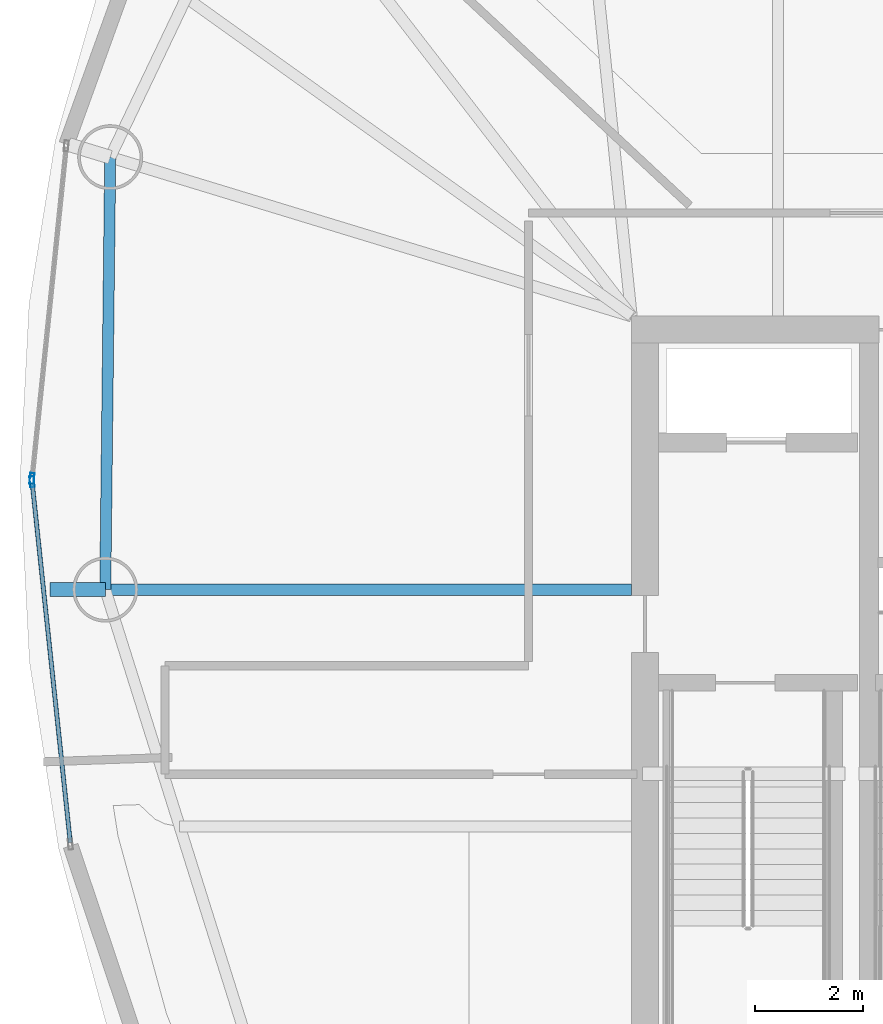
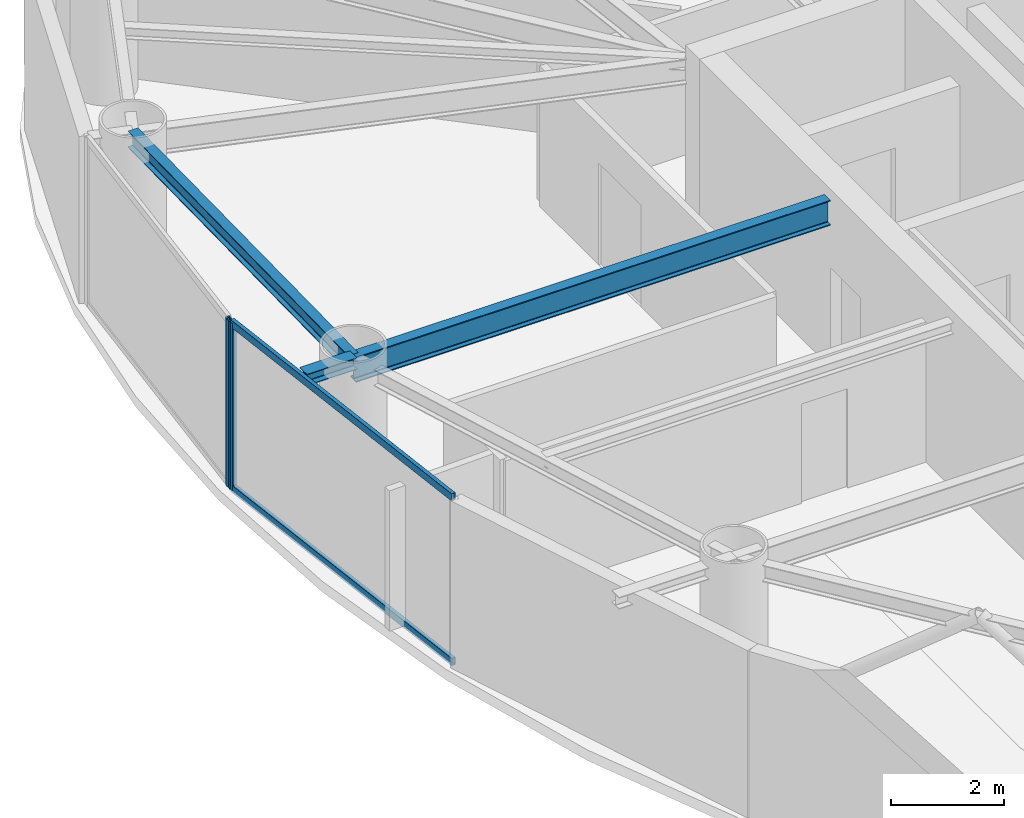
# One storey, part 5 of 20: 4 members, 3 beams, 2 elements without a shape of their own.
"""IFC4 building model written with IfcOpenShell, lengths in metres."""

from ifc_helpers import new_model, si_unit, direction, frame, origin, origin_2d, place, context, subcontext, project, spatial, hollow_rectangle, i_section, extrude, material, layer, layer_set, material_profile, profile_set, type_object, element, aggregate, save


model = new_model("IFC4")

# Units and contexts
model_context = context("Model", 3, precision=1e-05, world=origin(), true_north=direction((0.0, 1.0)))
body_context = subcontext(model_context, "Body", "Model", "MODEL_VIEW")
ifc_project = project(units=[si_unit("LENGTHUNIT", "METRE"), si_unit("AREAUNIT", "SQUARE_METRE"), si_unit("VOLUMEUNIT", "CUBIC_METRE"), si_unit("PLANEANGLEUNIT", "RADIAN"), si_unit("MASSUNIT", "GRAM", prefix="KILO")], contexts=[model_context])

# Site, building, storey
site_placement = place(None, origin())
site = spatial("IfcSite", under=ifc_project, at=site_placement, CompositionType="ELEMENT")
building_placement = place(site_placement, origin())
building = spatial("IfcBuilding", under=site, at=building_placement, Name="Bramvorn Convention Spire", CompositionType="ELEMENT")
storey_placement = place(building_placement, frame((0.0, 0.0, 228.949951171875)))
storey = spatial("IfcBuildingStorey", under=building, at=storey_placement, Name="L58", CompositionType="ELEMENT", Elevation=228.949951171875)

# Beams
ifc_material_1 = material(Name="Steel CSA G40.21 Grade 350 (350W)", Category="steel")
ifc_material_profile_1 = material_profile(ifc_material_1, i_section(OverallWidth=0.25390625, OverallDepth=0.2529296875, WebThickness=0.008544921875, FlangeThickness=0.01416015625, FilletRadius=0.011962890625, at=origin_2d()))
ifc_profile_set_1 = profile_set([ifc_material_profile_1], Name="Steel CSA G40.21 Grade 350 (350W) - W250X73")
beam_type_1 = type_object("IfcBeamType", Name="BM-W250X73", PredefinedType="BEAM", material=ifc_profile_set_1)
beam_1_placement = place(storey_placement, frame((17.04541015625, 28.406494140625, 3.49365234375), z_axis=(-1.0, 0.0, 0.0), x_axis=(0.0, -1.0, 0.0)))
element("IfcBeam", 1, at=beam_1_placement, inside=storey, type_object=beam_type_1, Name="L58 slab-edge cantilever tip beam MC11", PredefinedType="BEAM", context=body_context, shape_type="SweptSolid", body=[
    extrude(i_section(OverallWidth=0.25390625, OverallDepth=0.2529296875, WebThickness=0.008544921875, FlangeThickness=0.01416015625, FilletRadius=0.011962890625, at=origin_2d()), origin(), (0.0, 0.0, 1.0), 1.023681640625),
])
ifc_material_profile_2 = material_profile(ifc_material_1, i_section(OverallWidth=0.205078125, OverallDepth=0.35400390625, WebThickness=0.009521484375, FlangeThickness=0.016845703125, FilletRadius=0.014892578125, at=origin_2d()))
ifc_profile_set_2 = profile_set([ifc_material_profile_2], Name="Steel CSA G40.21 Grade 350 (350W) - W360X79")
beam_type_2 = type_object("IfcBeamType", Name="BM-W360X79", PredefinedType="JOIST", material=ifc_profile_set_2)
beam_2_placement = place(storey_placement, frame((17.136962890625, 36.380615234375, 3.443115234375), z_axis=(-0.011480475367, -0.999934097171, 0.0), x_axis=(0.999934097171, -0.011480475367, 0.0)))
element("IfcBeam", 2, at=beam_2_placement, inside=storey, type_object=beam_type_2, Name="L58 mega-column ring beam 10", PredefinedType="JOIST", context=body_context, shape_type="SweptSolid", body=[
    extrude(i_section(OverallWidth=0.205078125, OverallDepth=0.35400390625, WebThickness=0.009521484375, FlangeThickness=0.016845703125, FilletRadius=0.014892578125, at=origin_2d()), origin(), (0.0, 0.0, 1.0), 7.974609375),
])
ifc_material_profile_3 = material_profile(ifc_material_1, i_section(OverallWidth=0.2119140625, OverallDepth=0.5439453125, WebThickness=0.01318359375, FlangeThickness=0.021240234375, FilletRadius=0.01904296875, at=origin_2d()))
ifc_profile_set_3 = profile_set([ifc_material_profile_3], Name="Steel CSA G40.21 Grade 350 (350W) - W530X123")
beam_type_3 = type_object("IfcBeamType", Name="BM-W530X123", PredefinedType="BEAM", material=ifc_profile_set_3)
beam_3_placement = place(storey_placement, frame((26.75, 28.406494140625, 3.34814453125), z_axis=(-1.0, 0.0, 0.0), x_axis=(0.0, -1.0, 0.0)))
element("IfcBeam", 3, at=beam_3_placement, inside=storey, type_object=beam_type_3, Name="L58 radial floor girder MC11", PredefinedType="BEAM", context=body_context, shape_type="SweptSolid", body=[
    extrude(i_section(OverallWidth=0.2119140625, OverallDepth=0.5439453125, WebThickness=0.01318359375, FlangeThickness=0.021240234375, FilletRadius=0.01904296875, at=origin_2d()), origin(), (0.0, 0.0, 1.0), 9.70458984375),
])

# Curtain wall, member
ifc_material_2 = material(Name="Anodised Bronze Unitised Curtain Wall", Category="aluminium")
ifc_layer = layer(ifc_material_2, 0.179931640625)
ifc_layer_set = layer_set([ifc_layer], Name="Anodised Bronze Unitised Curtain Wall - CW-OFF-FRIT")
curtain_wall_type = type_object("IfcCurtainWallType", Name="CW-OFF-FRIT", PredefinedType="USERDEFINED", material=ifc_layer_set)
curtain_wall_1_placement = place(storey_placement, origin())
curtain_wall_1 = element("IfcCurtainWall", 4, at=curtain_wall_1_placement, inside=storey, type_object=curtain_wall_type, Name="L58 fritted glass curtain wall 15", ObjectType="UNITISED CURTAIN WALL", PredefinedType="USERDEFINED")
ifc_material_3 = material(Name="Anodised Bronze Aluminium 6063-T6", Category="aluminium")
ifc_material_profile_4 = material_profile(ifc_material_3, hollow_rectangle(XDim=0.080078125, YDim=0.199951171875, WallThickness=0.00390625, InnerFilletRadius=0.0009765625, OuterFilletRadius=0.00390625, at=origin_2d()))
ifc_profile_set_4 = profile_set([ifc_material_profile_4], Name="Anodised Bronze Aluminium 6063-T6 - CWM80X200")
member_type_1 = type_object("IfcMemberType", Name="CW-MUL-180", PredefinedType="MULLION", material=ifc_profile_set_4)
member_1_placement = place(storey_placement, frame((15.6953125, 30.455810546875, 0.0), z_axis=(0.0, 0.0, 1.0), x_axis=(-0.994739809886, 0.102433932988, 0.0)))
member_1 = element("IfcMember", 5, at=member_1_placement, type_object=member_type_1, Name="CW3 mullion 1", PredefinedType="MULLION", context=body_context, shape_type="SweptSolid", body=[
    extrude(hollow_rectangle(XDim=0.080078125, YDim=0.199951171875, WallThickness=0.00390625, InnerFilletRadius=0.0009765625, OuterFilletRadius=0.00390625, at=origin_2d()), origin(), (0.0, 0.0, 1.0), 3.6201171875),
])
aggregate(curtain_wall_1, [member_1])

# Curtain wall, members
curtain_wall_2_placement = place(storey_placement, origin())
curtain_wall_2 = element("IfcCurtainWall", 6, at=curtain_wall_2_placement, inside=storey, type_object=curtain_wall_type, Name="L58 fritted glass curtain wall 16", ObjectType="UNITISED CURTAIN WALL", PredefinedType="USERDEFINED")
member_2_placement = place(storey_placement, frame((15.695556640625, 30.39599609375, 0.0), z_axis=(0.0, 0.0, 1.0), x_axis=(-0.994435857502, -0.105343843268, 0.0)))
member_2 = element("IfcMember", 7, at=member_2_placement, type_object=member_type_1, Name="CW3 mullion 2", PredefinedType="MULLION", context=body_context, shape_type="SweptSolid", body=[
    extrude(hollow_rectangle(XDim=0.080078125, YDim=0.199951171875, WallThickness=0.00390625, InnerFilletRadius=0.0009765625, OuterFilletRadius=0.00390625, at=origin_2d()), origin(), (0.0, 0.0, 1.0), 3.6201171875),
])
ifc_material_profile_5 = material_profile(ifc_material_3, hollow_rectangle(XDim=0.080078125, YDim=0.159912109375, WallThickness=0.00390625, InnerFilletRadius=0.0009765625, OuterFilletRadius=0.00390625, at=origin_2d()))
ifc_profile_set_5 = profile_set([ifc_material_profile_5], Name="Anodised Bronze Aluminium 6063-T6 - CWT80X160")
member_type_2 = type_object("IfcMemberType", Name="CW-TRN-150", PredefinedType="USERDEFINED", material=ifc_profile_set_5)
member_3_placement = place(storey_placement, frame((16.400634765625, 23.73876953125, 0.030029296875), z_axis=(-0.105319767988, 0.99443840758, 0.0), x_axis=(-0.99443840758, -0.105319767988, 0.0)))
member_3 = element("IfcMember", 8, at=member_3_placement, type_object=member_type_2, Name="CW3 transom 1.1", ObjectType="TRANSOM", PredefinedType="USERDEFINED", context=body_context, shape_type="SweptSolid", body=[
    extrude(hollow_rectangle(XDim=0.080078125, YDim=0.159912109375, WallThickness=0.00390625, InnerFilletRadius=0.0009765625, OuterFilletRadius=0.00390625, at=origin_2d()), origin(), (0.0, 0.0, 1.0), 6.66455078125),
])
member_4_placement = place(storey_placement, frame((16.400634765625, 23.73876953125, 3.590087890625), z_axis=(-0.105319767988, 0.99443840758, 0.0), x_axis=(-0.99443840758, -0.105319767988, 0.0)))
member_4 = element("IfcMember", 9, at=member_4_placement, type_object=member_type_2, Name="CW3 transom 1.2", ObjectType="TRANSOM", PredefinedType="USERDEFINED", context=body_context, shape_type="SweptSolid", body=[
    extrude(hollow_rectangle(XDim=0.080078125, YDim=0.159912109375, WallThickness=0.00390625, InnerFilletRadius=0.0009765625, OuterFilletRadius=0.00390625, at=origin_2d()), origin(), (0.0, 0.0, 1.0), 6.66455078125),
])
aggregate(curtain_wall_2, [member_2, member_3, member_4])

save(model, "model.ifc")
